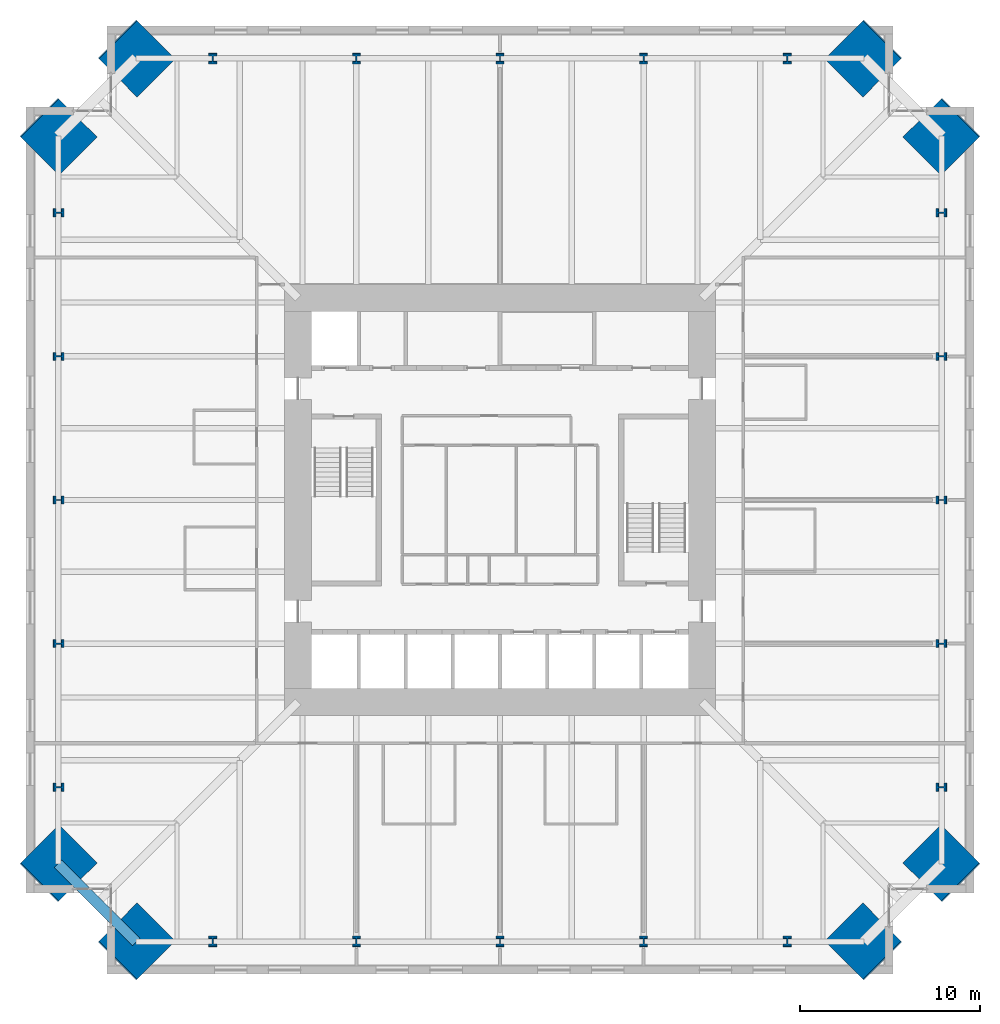
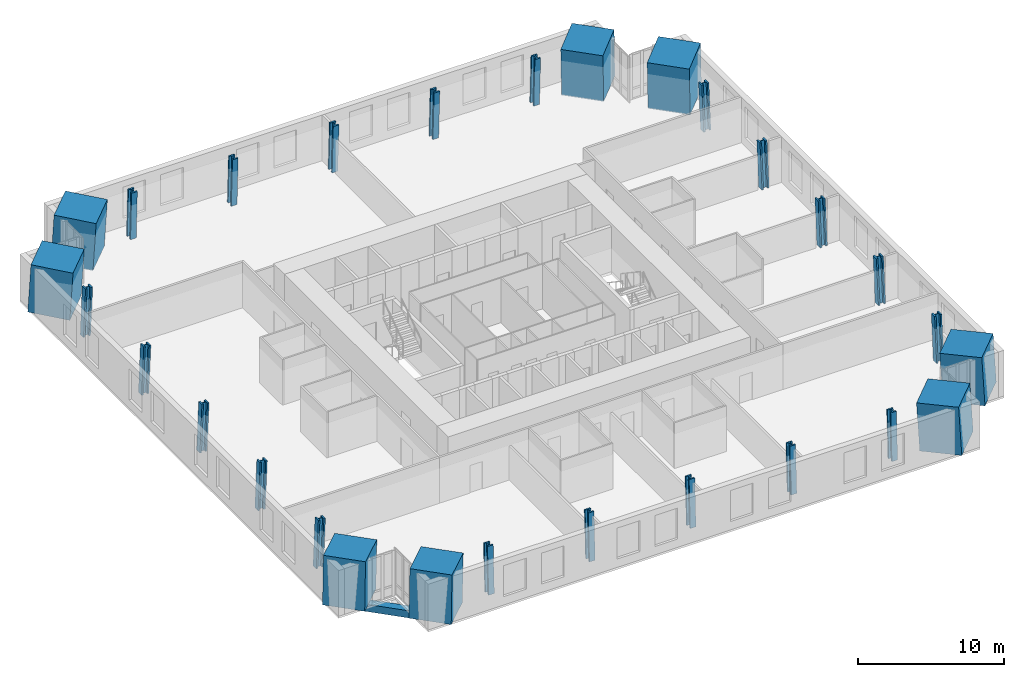
# One storey, part 1 of 18: 28 columns, 1 beam.
"""IFC4 building model written with IfcOpenShell, lengths in metres."""

import ifcopenshell
import ifcopenshell.guid

model = None  # the IFC model being written
_history = None  # IfcOwnerHistory: only IFC2X3 demands one
_inside = {}  # id of a spatial element -> (the spatial element, [elements in it])
_under = {}  # id of a project, library or spatial element -> (it, [spatial elements below it])
_declared = {}  # id of a project -> (the project, [libraries it declares])
_typed = {}  # id of a type object -> (the type object, [elements of that type])
_made_of = {}  # id of a material, layer set ... -> (it, [elements and type objects made of it])


def new_model(schema):
    """Start an empty IFC model of exactly this schema.

    Asked for "IFC4X3", IfcOpenShell would pick the latest addendum, in which some entities
    have other attributes; the version numbers below select the first issue.
    IFC2X3 requires an IfcOwnerHistory on every rooted entity: one is made here for all.
    """
    global model, _history
    if schema == "IFC4X3":
        model = ifcopenshell.file(schema_version=(4, 3, 0, 0))
    else:
        model = ifcopenshell.file(schema=schema)
    _inside.clear()
    _under.clear()
    _declared.clear()
    _typed.clear()
    _made_of.clear()
    _history = None
    if model.schema == "IFC2X3":
        org = make("IfcOrganization", Name="unknown")
        user = make(
            "IfcPersonAndOrganization",
            ThePerson=make("IfcPerson", FamilyName="unknown"),
            TheOrganization=org,
        )
        app = make(
            "IfcApplication",
            ApplicationDeveloper=org,
            Version="unknown",
            ApplicationFullName="unknown",
            ApplicationIdentifier="unknown",
        )
        _history = make(
            "IfcOwnerHistory",
            OwningUser=user,
            OwningApplication=app,
            ChangeAction="ADDED",
            CreationDate=0,
        )
    return model


def make(cls, **values):
    """One entity of the class cls with the attributes given. An attribute that is None is left unset."""
    return model.create_entity(
        cls, **{name: value for name, value in values.items() if value is not None}
    )


def rooted(cls, **values):
    """An entity with a GlobalId (a new one), such as an element, a storey or a relation."""
    return make(cls, GlobalId=ifcopenshell.guid.new(), OwnerHistory=_history, **values)


def si_unit(unit_type, name, prefix=None):
    """IfcSIUnit, for example si_unit("LENGTHUNIT", "METRE", prefix="MILLI")."""
    return make("IfcSIUnit", UnitType=unit_type, Prefix=prefix, Name=name)


def assignment(units):
    """IfcUnitAssignment: the units of a project."""
    return None if units is None else make("IfcUnitAssignment", Units=units)


def point(xyz):
    """IfcCartesianPoint."""
    return None if xyz is None else make("IfcCartesianPoint", Coordinates=xyz)


def direction(xyz):
    """IfcDirection."""
    return None if xyz is None else make("IfcDirection", DirectionRatios=xyz)


def frame(location, z_axis=None, x_axis=None):
    """IfcAxis2Placement3D, a coordinate frame: its origin and axes. An axis left out is left unset."""
    return make(
        "IfcAxis2Placement3D",
        Location=point(location),
        Axis=direction(z_axis),
        RefDirection=direction(x_axis),
    )


def frame_2d(location, x_axis=None):
    """IfcAxis2Placement2D, a coordinate frame in the plane: its origin and x axis."""
    return make(
        "IfcAxis2Placement2D", Location=point(location), RefDirection=direction(x_axis)
    )


def origin():
    """The frame at (0, 0, 0) with its axes left unset."""
    return frame((0.0, 0.0, 0.0))


def origin_2d():
    """The frame at (0, 0) in the plane with its x axis left unset."""
    return frame_2d((0.0, 0.0))


def place(relative_to, where):
    """IfcLocalPlacement: puts the frame where relative to a parent placement (None: the world)."""
    return make(
        "IfcLocalPlacement", PlacementRelTo=relative_to, RelativePlacement=where
    )


def context(
    kind, dimensions, precision=None, world=None, true_north=None, identifier=None
):
    """IfcGeometricRepresentationContext, for example the 3D "Model" context."""
    return make(
        "IfcGeometricRepresentationContext",
        ContextIdentifier=identifier,
        ContextType=kind,
        CoordinateSpaceDimension=dimensions,
        Precision=precision,
        WorldCoordinateSystem=world,
        TrueNorth=true_north,
    )


def subcontext(parent, identifier, kind, view, scale=None):
    """IfcGeometricRepresentationSubContext, for example "Body" below "Model"."""
    return make(
        "IfcGeometricRepresentationSubContext",
        ContextIdentifier=identifier,
        ContextType=kind,
        ParentContext=parent,
        TargetScale=scale,
        TargetView=view,
    )


def project(units=None, contexts=None):
    """IfcProject with its units and contexts."""
    return rooted(
        "IfcProject",
        Name="project",
        RepresentationContexts=contexts,
        UnitsInContext=assignment(units),
    )


def spatial(cls, under=None, at=None, **own):
    """A site, building, storey or space (cls), placed at a placement, below another one or the project."""
    s = rooted(cls, ObjectPlacement=at, **own)
    if under is not None:
        _under.setdefault(under.id(), (under, []))[1].append(s)
    return s


def profile(cls, at=None, kind="AREA", **sizes):
    """A parametric profile (cls). Its sizes go by their IFC names, for example OverallWidth=200.0."""
    return make(cls, ProfileType=kind, Position=at, **sizes)


def rectangle(**sizes):
    """IfcRectangleProfileDef."""
    return profile("IfcRectangleProfileDef", **sizes)


def hollow_rectangle(**sizes):
    """IfcRectangleHollowProfileDef."""
    return profile("IfcRectangleHollowProfileDef", **sizes)


def i_section(**sizes):
    """IfcIShapeProfileDef."""
    return profile("IfcIShapeProfileDef", **sizes)


def extrude(swept, where, along, depth):
    """IfcExtrudedAreaSolid: the profile swept, set in the frame where, extruded along a direction by depth."""
    return make(
        "IfcExtrudedAreaSolid",
        SweptArea=swept,
        Position=where,
        ExtrudedDirection=direction(along),
        Depth=depth,
    )


def shape(context_of_items, identifier, shape_type, items):
    """IfcShapeRepresentation: the items that make up one representation, for example the "Body"."""
    return make(
        "IfcShapeRepresentation",
        ContextOfItems=context_of_items,
        RepresentationIdentifier=identifier,
        RepresentationType=shape_type,
        Items=items,
    )


def material(Name=None, Category=None):
    """IfcMaterial."""
    return make("IfcMaterial", Name=Name, Category=Category)


def material_profile(
    of_material, cross_section, Name=None, Category=None, Priority=None
):
    """IfcMaterialProfile: a cross section and its material."""
    return make(
        "IfcMaterialProfile",
        Name=Name,
        Material=of_material,
        Profile=cross_section,
        Priority=Priority,
        Category=Category,
    )


def profile_set(profiles, Name=None, composite=None):
    """IfcMaterialProfileSet."""
    return make(
        "IfcMaterialProfileSet",
        Name=Name,
        MaterialProfiles=profiles,
        CompositeProfile=composite,
    )


def made_of(thing, what):
    """Note that an element or type object is made of a material, layer set ...; save() writes the relation."""
    if what is not None:
        _made_of.setdefault(what.id(), (what, []))[1].append(thing)
    return thing


def type_object(cls, material=None, **own):
    """A type object (cls), such as IfcWallType, which elements share."""
    return made_of(rooted(cls, **own), material)


def element(
    cls,
    number,
    at=None,
    inside=None,
    cuts=None,
    type_object=None,
    material=None,
    context=None,
    identifier="Body",
    shape_type=None,
    held_by="IfcProductDefinitionShape",
    body=None,
    shapes=None,
    **own,
):
    """One element of the class cls, such as IfcWall. Its Tag is "e" and its number.

    at: its placement. inside: the storey or other place that contains it. cuts: it is an
    opening in that element (IfcRelVoidsElement). A single representation is given by context,
    identifier, shape_type and body (its items); several are given by shapes. held_by: the class
    of the entity that holds the representations. save() writes the other relations.
    """
    e = rooted(cls, Tag="e%d" % number, ObjectPlacement=at, **own)
    if body is not None:
        shapes = [shape(context, identifier, shape_type, body)]
    if shapes is not None:
        e.Representation = make(held_by, Representations=shapes)
    if inside is not None:
        _inside.setdefault(inside.id(), (inside, []))[1].append(e)
    if cuts is not None:
        rooted(
            "IfcRelVoidsElement", RelatingBuildingElement=cuts, RelatedOpeningElement=e
        )
    if type_object is not None:
        _typed.setdefault(type_object.id(), (type_object, []))[1].append(e)
    return made_of(e, material)


def aggregate(whole, parts):
    """IfcRelAggregates: a whole, such as a stair, and the parts it consists of."""
    return rooted("IfcRelAggregates", RelatingObject=whole, RelatedObjects=parts)


def save(model, path):
    """Write the relations noted so far, then the file.

    IfcRelAggregates (storeys below a building ...), IfcRelContainedInSpatialStructure (elements
    in a storey), IfcRelDefinesByType, IfcRelAssociatesMaterial and IfcRelDeclares: one each for
    every whole, place, type object, material and project.
    """
    for whole, parts in _under.values():
        aggregate(whole, parts)
    for where, things in _inside.values():
        rooted(
            "IfcRelContainedInSpatialStructure",
            RelatedElements=things,
            RelatingStructure=where,
        )
    for kind, things in _typed.values():
        rooted("IfcRelDefinesByType", RelatedObjects=things, RelatingType=kind)
    for what, things in _made_of.values():
        rooted("IfcRelAssociatesMaterial", RelatedObjects=things, RelatingMaterial=what)
    for by, libraries in _declared.values():
        rooted("IfcRelDeclares", RelatingContext=by, RelatedDefinitions=libraries)
    model.write(path)


model = new_model("IFC4")

# Units and contexts
model_context = context("Model", 3, precision=1e-05, world=origin(), true_north=direction((0.0, 1.0)))
body_context = subcontext(model_context, "Body", "Model", "MODEL_VIEW")
ifc_project = project(units=[si_unit("LENGTHUNIT", "METRE"), si_unit("AREAUNIT", "SQUARE_METRE"), si_unit("VOLUMEUNIT", "CUBIC_METRE"), si_unit("PLANEANGLEUNIT", "RADIAN"), si_unit("MASSUNIT", "GRAM", prefix="KILO")], contexts=[model_context])

# Site, building, storey
site_placement = place(None, origin())
site = spatial("IfcSite", under=ifc_project, at=site_placement, CompositionType="ELEMENT")
building_placement = place(site_placement, origin())
building = spatial("IfcBuilding", under=site, at=building_placement, Name="Peilmerk Tower", CompositionType="ELEMENT")
storey_placement = place(building_placement, frame((0.0, 0.0, 155.800048828125)))
storey = spatial("IfcBuildingStorey", under=building, at=storey_placement, Name="L32", CompositionType="ELEMENT", Elevation=155.800048828125)

# Columns
ifc_material_1 = material(Name="Concrete C90/105", Category="concrete")
ifc_material_profile_1 = material_profile(ifc_material_1, rectangle(XDim=3.0, YDim=3.0, at=origin_2d()), Name="RC 3000x3000")
ifc_profile_set_1 = profile_set([ifc_material_profile_1], Name="Concrete C90/105")
column_type_1 = type_object("IfcColumnType", Name="MC2 3000x3000 encased mega column", PredefinedType="COLUMN", material=ifc_profile_set_1)
for number, where, z_axis, x_axis, name in (
    (1, (20.264404296875, 24.614501953125, 0.0), (-0.040217894151, -0.040278830354, 0.998378754189), (0.707641859868, -0.706571297296, 0.0), "Mega column MC2 NE_N L32"),
    (2, (24.614501953125, 20.264404296875, 0.0), (-0.040278830354, -0.040217894151, 0.998378754189), (0.706571297296, -0.707641859868, 0.0), "Mega column MC2 NE_E L32"),
    (3, (24.614501953125, -20.264404296875, 0.0), (-0.040278830354, 0.040217894151, 0.998378754189), (-0.706571297296, -0.707641859868, 0.0), "Mega column MC2 SE_E L32"),
    (4, (20.264404296875, -24.614501953125, 0.0), (-0.040217894151, 0.040278830354, 0.998378754189), (-0.707641859868, -0.706571297296, 0.0), "Mega column MC2 SE_S L32"),
    (5, (-20.264404296875, -24.614501953125, 0.0), (0.040217894151, 0.040278830354, 0.998378754189), (-0.707641859868, 0.706571297296, 0.0), "Mega column MC2 SW_S L32"),
    (6, (-24.614501953125, -20.264404296875, 0.0), (0.040278830354, 0.040217894151, 0.998378754189), (-0.706571297296, 0.707641859868, 0.0), "Mega column MC2 SW_W L32"),
    (7, (-24.614501953125, 20.264404296875, 0.0), (0.040278830354, -0.040217894151, 0.998378754189), (0.706571297296, 0.707641859868, 0.0), "Mega column MC2 NW_W L32"),
    (8, (-20.264404296875, 24.614501953125, 0.0), (0.040217894151, -0.040278830354, 0.998378754189), (0.707641859868, 0.706571297296, 0.0), "Mega column MC2 NW_N L32"),
):
    element("IfcColumn", number, at=place(storey_placement, frame(where, z_axis=z_axis, x_axis=x_axis)), inside=storey, type_object=column_type_1, Name=name, PredefinedType="COLUMN", context=body_context, shape_type="SweptSolid", body=[
        extrude(rectangle(XDim=3.0, YDim=3.0, at=origin_2d()), origin(), (0.0, 0.0, 1.0), 4.006591796875),
    ])
ifc_material_2 = material(Name="Steel S460", Category="steel")
ifc_material_profile_2 = material_profile(ifc_material_2, i_section(OverallWidth=0.4541015625, OverallDepth=0.569091796875, WebThickness=0.077880859375, FlangeThickness=0.125, at=origin_2d()), Name="HD 400x1086")
ifc_profile_set_2 = profile_set([ifc_material_profile_2], Name="Steel S460")
column_type_2 = type_object("IfcColumnType", Name="SC6 HD 400x1086 interior column", PredefinedType="COLUMN", material=ifc_profile_set_2)
for number, where, z_axis, x_axis, name in (
    (9, (0.0, 24.614501953125, 0.0), (0.0, -0.040311445006, 0.999187163349), (1.0, 0.0, 0.0), "Perimeter column N+0 L32"),
    (10, (8.0, 24.614501953125, 0.0), (0.0, -0.040311445006, 0.999187163349), (1.0, 0.0, 0.0), "Perimeter column N-8 L32"),
    (11, (-8.0, 24.614501953125, 0.0), (0.0, -0.040311445006, 0.999187163349), (1.0, 0.0, 0.0), "Perimeter column N+8 L32"),
    (12, (16.0, 24.614501953125, 0.0), (0.0, -0.040311445006, 0.999187163349), (1.0, 0.0, 0.0), "Perimeter column N-16 L32"),
    (13, (-16.0, 24.614501953125, 0.0), (0.0, -0.040311445006, 0.999187163349), (1.0, 0.0, 0.0), "Perimeter column N+16 L32"),
    (14, (24.614501953125, 0.0, 0.0), (-0.040311445006, 0.0, 0.999187163349), (0.0, -1.0, 0.0), "Perimeter column E+0 L32"),
    (15, (24.614501953125, -8.0, 0.0), (-0.040311445006, 0.0, 0.999187163349), (0.0, -1.0, 0.0), "Perimeter column E-8 L32"),
    (16, (24.614501953125, 8.0, 0.0), (-0.040311445006, 0.0, 0.999187163349), (0.0, -1.0, 0.0), "Perimeter column E+8 L32"),
    (17, (24.614501953125, -16.0, 0.0), (-0.040311445006, 0.0, 0.999187163349), (0.0, -1.0, 0.0), "Perimeter column E-16 L32"),
    (18, (24.614501953125, 16.0, 0.0), (-0.040311445006, 0.0, 0.999187163349), (0.0, -1.0, 0.0), "Perimeter column E+16 L32"),
    (19, (0.0, -24.614501953125, 0.0), (0.0, 0.040311445006, 0.999187163349), (-1.0, 0.0, 0.0), "Perimeter column S+0 L32"),
    (20, (-8.0, -24.614501953125, 0.0), (0.0, 0.040311445006, 0.999187163349), (-1.0, 0.0, 0.0), "Perimeter column S-8 L32"),
    (21, (8.0, -24.614501953125, 0.0), (0.0, 0.040311445006, 0.999187163349), (-1.0, 0.0, 0.0), "Perimeter column S+8 L32"),
    (22, (-16.0, -24.614501953125, 0.0), (0.0, 0.040311445006, 0.999187163349), (-1.0, 0.0, 0.0), "Perimeter column S-16 L32"),
    (23, (16.0, -24.614501953125, 0.0), (0.0, 0.040311445006, 0.999187163349), (-1.0, 0.0, 0.0), "Perimeter column S+16 L32"),
    (24, (-24.614501953125, 0.0, 0.0), (0.040311445006, 0.0, 0.999187163349), (0.0, 1.0, 0.0), "Perimeter column W+0 L32"),
    (25, (-24.614501953125, 8.0, 0.0), (0.040311445006, 0.0, 0.999187163349), (0.0, 1.0, 0.0), "Perimeter column W-8 L32"),
    (26, (-24.614501953125, -8.0, 0.0), (0.040311445006, 0.0, 0.999187163349), (0.0, 1.0, 0.0), "Perimeter column W+8 L32"),
    (27, (-24.614501953125, 16.0, 0.0), (0.040311445006, 0.0, 0.999187163349), (0.0, 1.0, 0.0), "Perimeter column W-16 L32"),
    (28, (-24.614501953125, -16.0, 0.0), (0.040311445006, 0.0, 0.999187163349), (0.0, 1.0, 0.0), "Perimeter column W+16 L32"),
):
    element("IfcColumn", number, at=place(storey_placement, frame(where, z_axis=z_axis, x_axis=x_axis)), inside=storey, type_object=column_type_2, Name=name, PredefinedType="COLUMN", context=body_context, shape_type="SweptSolid", body=[
        extrude(i_section(OverallWidth=0.4541015625, OverallDepth=0.569091796875, WebThickness=0.077880859375, FlangeThickness=0.125, at=origin_2d()), origin(), (0.0, 0.0, 1.0), 4.003173828125),
    ])

# Beam
ifc_material_profile_3 = material_profile(ifc_material_2, hollow_rectangle(XDim=0.60009765625, YDim=0.60009765625, WallThickness=0.06005859375, at=origin_2d()), Name="BOX 600x600x60")
ifc_profile_set_3 = profile_set([ifc_material_profile_3], Name="Steel S460")
beam_type = type_object("IfcBeamType", Name="B20 BOX 600x600x60 notch beam", PredefinedType="SPANDREL", material=ifc_profile_set_3)
beam_placement = place(storey_placement, frame((-20.264404296875, -24.614501953125, -0.469970703125), z_axis=(-0.707106781187, 0.707106781187, 0.0), x_axis=(-0.707106781187, -0.707106781187, 0.0)))
element("IfcBeam", 29, at=beam_placement, inside=storey, type_object=beam_type, Name="Notch beam L32", PredefinedType="SPANDREL", context=body_context, shape_type="SweptSolid", body=[
    extrude(hollow_rectangle(XDim=0.60009765625, YDim=0.60009765625, WallThickness=0.06005859375, at=origin_2d()), origin(), (0.0, 0.0, 1.0), 6.15185546875),
])

save(model, "model.ifc")
